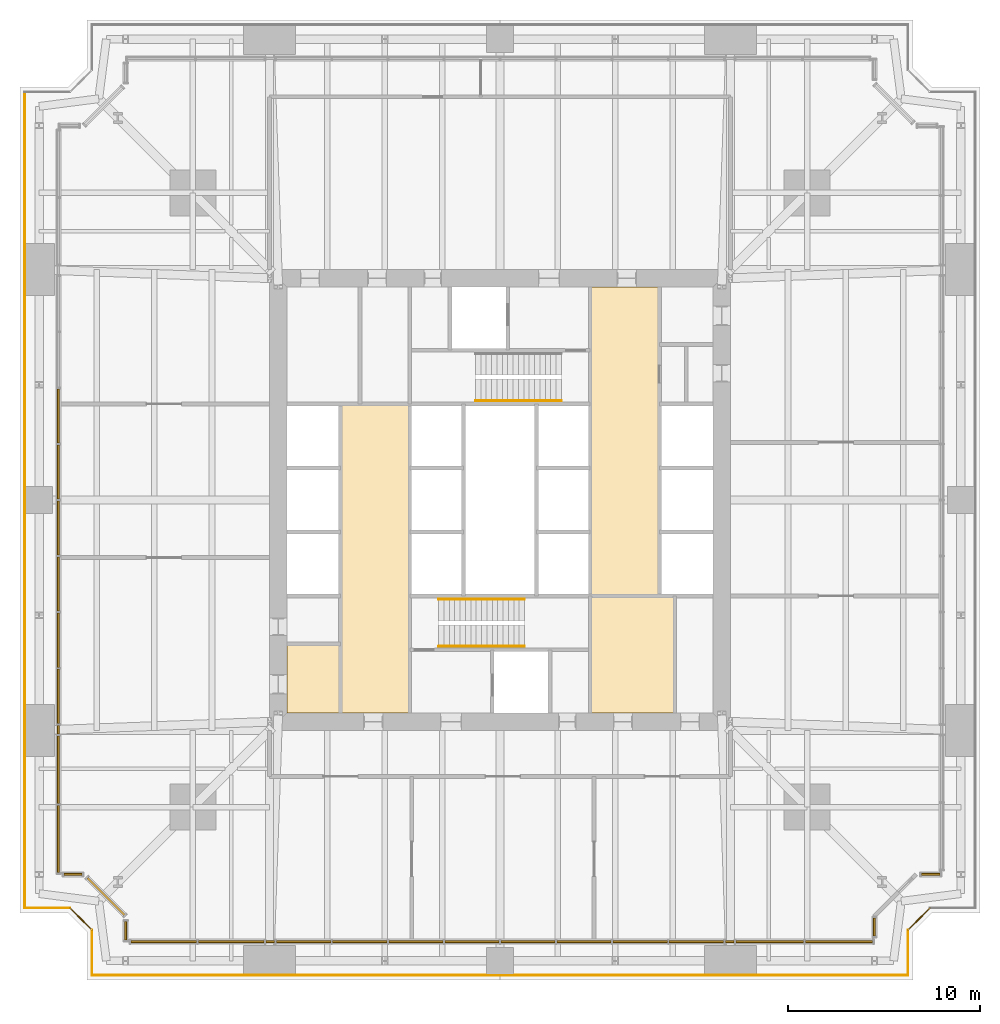
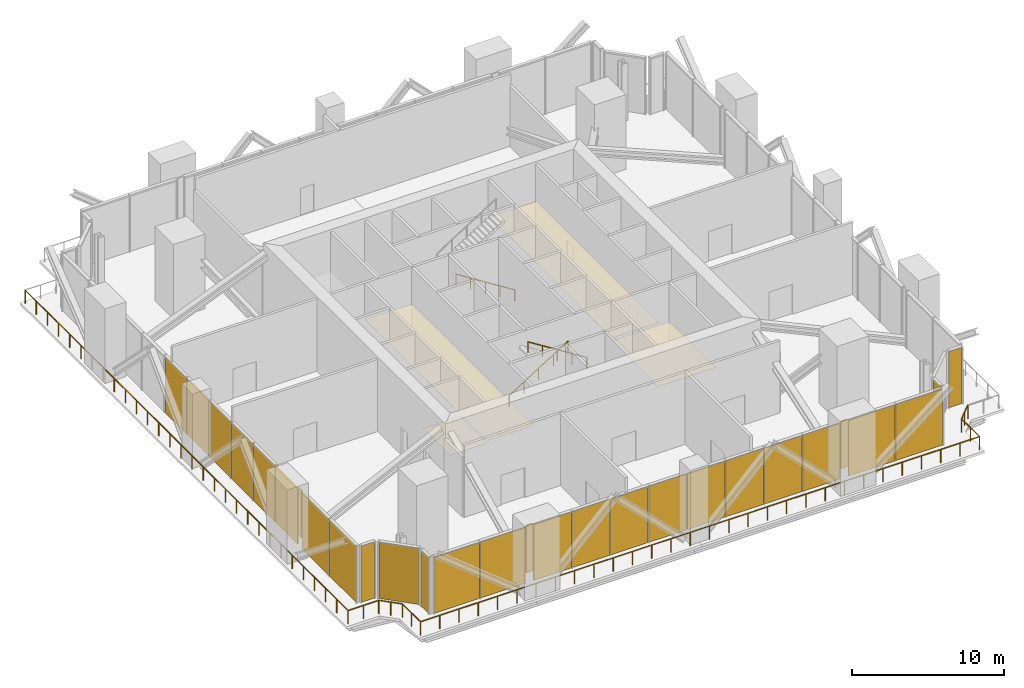
# One storey, part 11 of 13: 28 shading devices, 10 railings, 4 coverings, 10 elements without a shape of their own.
"""IFC4 building model written with IfcOpenShell, lengths in metres."""

from ifc_helpers import new_model, si_unit, direction, frame, origin, origin_2d, place, context, subcontext, project, spatial, polyline, rectangle, circle, outline, extrude, material, layer, layer_set, type_object, element, aggregate, save


model = new_model("IFC4")

# Units and contexts
model_context = context("Model", 3, precision=1e-05, world=origin(), true_north=direction((0.0, 1.0)))
body_context = subcontext(model_context, "Body", "Model", "MODEL_VIEW")
ifc_project = project(units=[si_unit("LENGTHUNIT", "METRE"), si_unit("AREAUNIT", "SQUARE_METRE"), si_unit("VOLUMEUNIT", "CUBIC_METRE"), si_unit("PLANEANGLEUNIT", "RADIAN"), si_unit("MASSUNIT", "GRAM", prefix="KILO")], contexts=[model_context])

# Site, building, storey
site_placement = place(None, origin())
site = spatial("IfcSite", under=ifc_project, at=site_placement, CompositionType="ELEMENT")
building_placement = place(site_placement, origin())
building = spatial("IfcBuilding", under=site, at=building_placement, Name="Fenwick Lantern Interchange", CompositionType="ELEMENT")
storey_placement = place(building_placement, frame((0.0, 0.0, 91.0)))
storey = spatial("IfcBuildingStorey", under=building, at=storey_placement, Name="L21", CompositionType="ELEMENT", Elevation=91.0)

# Railings
ifc_material_1 = material(Name="Stainless steel handrail", Category="steel")
railing_type_1 = type_object("IfcRailingType", Name="HANDRAIL 900", PredefinedType="HANDRAIL", material=ifc_material_1)
railing_1_placement = place(storey_placement, frame((21.800048828125, 19.825927734375, 0.176513671875)))
element("IfcRailing", 1, at=railing_1_placement, inside=storey, type_object=railing_type_1, Name="L21/STAIR/ST1/HR1", PredefinedType="HANDRAIL", context=body_context, shape_type="SweptSolid", body=[
    extrude(circle(Radius=0.02392578125, at=origin_2d()), frame((0.0, 0.0, 0.8759765625), z_axis=(0.845997938375, 0.0, 0.533186166611), x_axis=(0.0, 1.0, 0.0)), (0.0, 0.0, 1.0), 5.29541015625),
    extrude(circle(Radius=0.02099609375, at=origin_2d()), origin(), (0.0, 0.0, 1.0), 0.851806640625),
    extrude(circle(Radius=0.02099609375, at=origin_2d()), frame((1.1201171875, 0.0, 0.705810546875)), (0.0, 0.0, 1.0), 0.851806640625),
    extrude(circle(Radius=0.02099609375, at=origin_2d()), frame((2.239990234375, 0.0, 1.41162109375)), (0.0, 0.0, 1.0), 0.851806640625),
    extrude(circle(Radius=0.02099609375, at=origin_2d()), frame((3.35986328125, 0.0, 2.11767578125)), (0.0, 0.0, 1.0), 0.851806640625),
    extrude(circle(Radius=0.02099609375, at=origin_2d()), frame((4.47998046875, 0.0, 2.823486328125)), (0.0, 0.0, 1.0), 0.851806640625),
])
for number, where, name in (
    (2, (26.280029296875, 17.3740234375, 3.176513671875), "L21/STAIR/ST1/HR2"),
    (3, (28.199951171875, 30.174072265625, 0.176513671875), "L21/STAIR/ST2/HR1"),
):
    element("IfcRailing", number, at=place(storey_placement, frame(where)), inside=storey, type_object=railing_type_1, Name=name, PredefinedType="HANDRAIL", context=body_context, shape_type="SweptSolid", body=[
        extrude(circle(Radius=0.02392578125, at=origin_2d()), frame((0.0, 0.0, 0.8759765625), z_axis=(-0.845997938375, 0.0, 0.533186166611), x_axis=(0.0, -1.0, 0.0)), (0.0, 0.0, 1.0), 5.29541015625),
        extrude(circle(Radius=0.02099609375, at=origin_2d()), origin(), (0.0, 0.0, 1.0), 0.851806640625),
        extrude(circle(Radius=0.02099609375, at=origin_2d()), frame((-1.1201171875, 0.0, 0.705810546875)), (0.0, 0.0, 1.0), 0.851806640625),
        extrude(circle(Radius=0.02099609375, at=origin_2d()), frame((-2.239990234375, 0.0, 1.41162109375)), (0.0, 0.0, 1.0), 0.851806640625),
        extrude(circle(Radius=0.02099609375, at=origin_2d()), frame((-3.35986328125, 0.0, 2.11767578125)), (0.0, 0.0, 1.0), 0.851806640625),
        extrude(circle(Radius=0.02099609375, at=origin_2d()), frame((-4.47998046875, 0.0, 2.823486328125)), (0.0, 0.0, 1.0), 0.851806640625),
    ])
ifc_material_2 = material(Name="Galvanised steel guard", Category="steel")
railing_type_2 = type_object("IfcRailingType", Name="MAINTENANCE LEDGE GUARD 1100", PredefinedType="GUARDRAIL", material=ifc_material_2)
railing_2_placement = place(storey_placement, frame((3.75, 0.25, 0.0)))
element("IfcRailing", 4, at=railing_2_placement, inside=storey, type_object=railing_type_2, Name="L21/GR/LEDGE01", PredefinedType="GUARDRAIL", context=body_context, shape_type="SweptSolid", body=[
    extrude(circle(Radius=0.02392578125, at=origin_2d()), frame((0.0, 0.0, 1.076171875), z_axis=(1.0, 0.0, 0.0), x_axis=(0.0, 1.0, 0.0)), (0.0, 0.0, 1.0), 42.5),
    extrude(circle(Radius=0.02099609375, at=origin_2d()), origin(), (0.0, 0.0, 1.0), 1.052001953125),
    extrude(circle(Radius=0.02099609375, at=origin_2d()), frame((1.465576171875, 0.0, 0.0)), (0.0, 0.0, 1.0), 1.052001953125),
    extrude(circle(Radius=0.02099609375, at=origin_2d()), frame((2.93115234375, 0.0, 0.0)), (0.0, 0.0, 1.0), 1.052001953125),
    extrude(circle(Radius=0.02099609375, at=origin_2d()), frame((4.396484375, 0.0, 0.0)), (0.0, 0.0, 1.0), 1.052001953125),
    extrude(circle(Radius=0.02099609375, at=origin_2d()), frame((5.862060546875, 0.0, 0.0)), (0.0, 0.0, 1.0), 1.052001953125),
    extrude(circle(Radius=0.02099609375, at=origin_2d()), frame((7.32763671875, 0.0, 0.0)), (0.0, 0.0, 1.0), 1.052001953125),
    extrude(circle(Radius=0.02099609375, at=origin_2d()), frame((8.793212890625, 0.0, 0.0)), (0.0, 0.0, 1.0), 1.052001953125),
    extrude(circle(Radius=0.02099609375, at=origin_2d()), frame((10.258544921875, 0.0, 0.0)), (0.0, 0.0, 1.0), 1.052001953125),
    extrude(circle(Radius=0.02099609375, at=origin_2d()), frame((11.72412109375, 0.0, 0.0)), (0.0, 0.0, 1.0), 1.052001953125),
    extrude(circle(Radius=0.02099609375, at=origin_2d()), frame((13.189697265625, 0.0, 0.0)), (0.0, 0.0, 1.0), 1.052001953125),
    extrude(circle(Radius=0.02099609375, at=origin_2d()), frame((14.6552734375, 0.0, 0.0)), (0.0, 0.0, 1.0), 1.052001953125),
    extrude(circle(Radius=0.02099609375, at=origin_2d()), frame((16.12060546875, 0.0, 0.0)), (0.0, 0.0, 1.0), 1.052001953125),
    extrude(circle(Radius=0.02099609375, at=origin_2d()), frame((17.586181640625, 0.0, 0.0)), (0.0, 0.0, 1.0), 1.052001953125),
    extrude(circle(Radius=0.02099609375, at=origin_2d()), frame((19.0517578125, 0.0, 0.0)), (0.0, 0.0, 1.0), 1.052001953125),
    extrude(circle(Radius=0.02099609375, at=origin_2d()), frame((20.517333984375, 0.0, 0.0)), (0.0, 0.0, 1.0), 1.052001953125),
    extrude(circle(Radius=0.02099609375, at=origin_2d()), frame((21.982666015625, 0.0, 0.0)), (0.0, 0.0, 1.0), 1.052001953125),
    extrude(circle(Radius=0.02099609375, at=origin_2d()), frame((23.4482421875, 0.0, 0.0)), (0.0, 0.0, 1.0), 1.052001953125),
    extrude(circle(Radius=0.02099609375, at=origin_2d()), frame((24.913818359375, 0.0, 0.0)), (0.0, 0.0, 1.0), 1.052001953125),
    extrude(circle(Radius=0.02099609375, at=origin_2d()), frame((26.37939453125, 0.0, 0.0)), (0.0, 0.0, 1.0), 1.052001953125),
    extrude(circle(Radius=0.02099609375, at=origin_2d()), frame((27.8447265625, 0.0, 0.0)), (0.0, 0.0, 1.0), 1.052001953125),
    extrude(circle(Radius=0.02099609375, at=origin_2d()), frame((29.310302734375, 0.0, 0.0)), (0.0, 0.0, 1.0), 1.052001953125),
    extrude(circle(Radius=0.02099609375, at=origin_2d()), frame((30.77587890625, 0.0, 0.0)), (0.0, 0.0, 1.0), 1.052001953125),
    extrude(circle(Radius=0.02099609375, at=origin_2d()), frame((32.241455078125, 0.0, 0.0)), (0.0, 0.0, 1.0), 1.052001953125),
    extrude(circle(Radius=0.02099609375, at=origin_2d()), frame((33.706787109375, 0.0, 0.0)), (0.0, 0.0, 1.0), 1.052001953125),
    extrude(circle(Radius=0.02099609375, at=origin_2d()), frame((35.17236328125, 0.0, 0.0)), (0.0, 0.0, 1.0), 1.052001953125),
    extrude(circle(Radius=0.02099609375, at=origin_2d()), frame((36.637939453125, 0.0, 0.0)), (0.0, 0.0, 1.0), 1.052001953125),
    extrude(circle(Radius=0.02099609375, at=origin_2d()), frame((38.103515625, 0.0, 0.0)), (0.0, 0.0, 1.0), 1.052001953125),
    extrude(circle(Radius=0.02099609375, at=origin_2d()), frame((39.56884765625, 0.0, 0.0)), (0.0, 0.0, 1.0), 1.052001953125),
    extrude(circle(Radius=0.02099609375, at=origin_2d()), frame((41.034423828125, 0.0, 0.0)), (0.0, 0.0, 1.0), 1.052001953125),
    extrude(circle(Radius=0.02099609375, at=origin_2d()), frame((42.5, 0.0, 0.0)), (0.0, 0.0, 1.0), 1.052001953125),
])
railing_3_placement = place(storey_placement, frame((46.25, 0.25, 0.0)))
element("IfcRailing", 5, at=railing_3_placement, inside=storey, type_object=railing_type_2, Name="L21/GR/LEDGE02", PredefinedType="GUARDRAIL", context=body_context, shape_type="SweptSolid", body=[
    extrude(circle(Radius=0.02392578125, at=origin_2d()), frame((0.0, 0.0, 1.076171875), z_axis=(0.0, 1.0, 0.0), x_axis=(-1.0, 0.0, 0.0)), (0.0, 0.0, 1.0), 2.353515625),
    extrude(circle(Radius=0.02099609375, at=origin_2d()), origin(), (0.0, 0.0, 1.0), 1.052001953125),
    extrude(circle(Radius=0.02099609375, at=origin_2d()), frame((0.0, 1.1767578125, 0.0)), (0.0, 0.0, 1.0), 1.052001953125),
    extrude(circle(Radius=0.02099609375, at=origin_2d()), frame((0.0, 2.353515625, 0.0)), (0.0, 0.0, 1.0), 1.052001953125),
])
railing_4_placement = place(storey_placement, frame((46.25, 2.603515625, 0.0)))
element("IfcRailing", 6, at=railing_4_placement, inside=storey, type_object=railing_type_2, Name="L21/GR/LEDGE03", PredefinedType="GUARDRAIL", context=body_context, shape_type="SweptSolid", body=[
    extrude(circle(Radius=0.02392578125, at=origin_2d()), frame((0.0, 0.0, 1.076171875), z_axis=(0.707106781187, 0.707106781187, 0.0), x_axis=(-0.707106781187, 0.707106781187, 0.0)), (0.0, 0.0, 1.0), 1.621337890625),
    extrude(circle(Radius=0.02099609375, at=origin_2d()), origin(), (0.0, 0.0, 1.0), 1.052001953125),
    extrude(circle(Radius=0.02099609375, at=origin_2d()), frame((0.5732421875, 0.5732421875, 0.0)), (0.0, 0.0, 1.0), 1.052001953125),
    extrude(circle(Radius=0.02099609375, at=origin_2d()), frame((1.146484375, 1.146484375, 0.0)), (0.0, 0.0, 1.0), 1.052001953125),
])
railing_5_placement = place(storey_placement, frame((0.25, 46.25, 0.0)))
element("IfcRailing", 7, at=railing_5_placement, inside=storey, type_object=railing_type_2, Name="L21/GR/LEDGE13", PredefinedType="GUARDRAIL", context=body_context, shape_type="SweptSolid", body=[
    extrude(circle(Radius=0.02392578125, at=origin_2d()), frame((0.0, 0.0, 1.076171875), z_axis=(0.0, -1.0, 0.0), x_axis=(1.0, 0.0, 0.0)), (0.0, 0.0, 1.0), 42.5),
    extrude(circle(Radius=0.02099609375, at=origin_2d()), origin(), (0.0, 0.0, 1.0), 1.052001953125),
    extrude(circle(Radius=0.02099609375, at=origin_2d()), frame((0.0, -1.465576171875, 0.0)), (0.0, 0.0, 1.0), 1.052001953125),
    extrude(circle(Radius=0.02099609375, at=origin_2d()), frame((0.0, -2.93115234375, 0.0)), (0.0, 0.0, 1.0), 1.052001953125),
    extrude(circle(Radius=0.02099609375, at=origin_2d()), frame((0.0, -4.396484375, 0.0)), (0.0, 0.0, 1.0), 1.052001953125),
    extrude(circle(Radius=0.02099609375, at=origin_2d()), frame((0.0, -5.862060546875, 0.0)), (0.0, 0.0, 1.0), 1.052001953125),
    extrude(circle(Radius=0.02099609375, at=origin_2d()), frame((0.0, -7.32763671875, 0.0)), (0.0, 0.0, 1.0), 1.052001953125),
    extrude(circle(Radius=0.02099609375, at=origin_2d()), frame((0.0, -8.793212890625, 0.0)), (0.0, 0.0, 1.0), 1.052001953125),
    extrude(circle(Radius=0.02099609375, at=origin_2d()), frame((0.0, -10.258544921875, 0.0)), (0.0, 0.0, 1.0), 1.052001953125),
    extrude(circle(Radius=0.02099609375, at=origin_2d()), frame((0.0, -11.72412109375, 0.0)), (0.0, 0.0, 1.0), 1.052001953125),
    extrude(circle(Radius=0.02099609375, at=origin_2d()), frame((0.0, -13.189697265625, 0.0)), (0.0, 0.0, 1.0), 1.052001953125),
    extrude(circle(Radius=0.02099609375, at=origin_2d()), frame((0.0, -14.6552734375, 0.0)), (0.0, 0.0, 1.0), 1.052001953125),
    extrude(circle(Radius=0.02099609375, at=origin_2d()), frame((0.0, -16.12060546875, 0.0)), (0.0, 0.0, 1.0), 1.052001953125),
    extrude(circle(Radius=0.02099609375, at=origin_2d()), frame((0.0, -17.586181640625, 0.0)), (0.0, 0.0, 1.0), 1.052001953125),
    extrude(circle(Radius=0.02099609375, at=origin_2d()), frame((0.0, -19.0517578125, 0.0)), (0.0, 0.0, 1.0), 1.052001953125),
    extrude(circle(Radius=0.02099609375, at=origin_2d()), frame((0.0, -20.517333984375, 0.0)), (0.0, 0.0, 1.0), 1.052001953125),
    extrude(circle(Radius=0.02099609375, at=origin_2d()), frame((0.0, -21.982666015625, 0.0)), (0.0, 0.0, 1.0), 1.052001953125),
    extrude(circle(Radius=0.02099609375, at=origin_2d()), frame((0.0, -23.4482421875, 0.0)), (0.0, 0.0, 1.0), 1.052001953125),
    extrude(circle(Radius=0.02099609375, at=origin_2d()), frame((0.0, -24.913818359375, 0.0)), (0.0, 0.0, 1.0), 1.052001953125),
    extrude(circle(Radius=0.02099609375, at=origin_2d()), frame((0.0, -26.37939453125, 0.0)), (0.0, 0.0, 1.0), 1.052001953125),
    extrude(circle(Radius=0.02099609375, at=origin_2d()), frame((0.0, -27.8447265625, 0.0)), (0.0, 0.0, 1.0), 1.052001953125),
    extrude(circle(Radius=0.02099609375, at=origin_2d()), frame((0.0, -29.310302734375, 0.0)), (0.0, 0.0, 1.0), 1.052001953125),
    extrude(circle(Radius=0.02099609375, at=origin_2d()), frame((0.0, -30.77587890625, 0.0)), (0.0, 0.0, 1.0), 1.052001953125),
    extrude(circle(Radius=0.02099609375, at=origin_2d()), frame((0.0, -32.241455078125, 0.0)), (0.0, 0.0, 1.0), 1.052001953125),
    extrude(circle(Radius=0.02099609375, at=origin_2d()), frame((0.0, -33.706787109375, 0.0)), (0.0, 0.0, 1.0), 1.052001953125),
    extrude(circle(Radius=0.02099609375, at=origin_2d()), frame((0.0, -35.17236328125, 0.0)), (0.0, 0.0, 1.0), 1.052001953125),
    extrude(circle(Radius=0.02099609375, at=origin_2d()), frame((0.0, -36.637939453125, 0.0)), (0.0, 0.0, 1.0), 1.052001953125),
    extrude(circle(Radius=0.02099609375, at=origin_2d()), frame((0.0, -38.103515625, 0.0)), (0.0, 0.0, 1.0), 1.052001953125),
    extrude(circle(Radius=0.02099609375, at=origin_2d()), frame((0.0, -39.56884765625, 0.0)), (0.0, 0.0, 1.0), 1.052001953125),
    extrude(circle(Radius=0.02099609375, at=origin_2d()), frame((0.0, -41.034423828125, 0.0)), (0.0, 0.0, 1.0), 1.052001953125),
    extrude(circle(Radius=0.02099609375, at=origin_2d()), frame((0.0, -42.5, 0.0)), (0.0, 0.0, 1.0), 1.052001953125),
])
railing_6_placement = place(storey_placement, frame((0.25, 3.75, 0.0)))
element("IfcRailing", 8, at=railing_6_placement, inside=storey, type_object=railing_type_2, Name="L21/GR/LEDGE14", PredefinedType="GUARDRAIL", context=body_context, shape_type="SweptSolid", body=[
    extrude(circle(Radius=0.02392578125, at=origin_2d()), frame((0.0, 0.0, 1.076171875), z_axis=(1.0, 0.0, 0.0), x_axis=(0.0, 1.0, 0.0)), (0.0, 0.0, 1.0), 2.353515625),
    extrude(circle(Radius=0.02099609375, at=origin_2d()), origin(), (0.0, 0.0, 1.0), 1.052001953125),
    extrude(circle(Radius=0.02099609375, at=origin_2d()), frame((1.1767578125, 0.0, 0.0)), (0.0, 0.0, 1.0), 1.052001953125),
    extrude(circle(Radius=0.02099609375, at=origin_2d()), frame((2.353515625, 0.0, 0.0)), (0.0, 0.0, 1.0), 1.052001953125),
])
railing_7_placement = place(storey_placement, frame((2.603515625, 3.75, 0.0)))
element("IfcRailing", 9, at=railing_7_placement, inside=storey, type_object=railing_type_2, Name="L21/GR/LEDGE15", PredefinedType="GUARDRAIL", context=body_context, shape_type="SweptSolid", body=[
    extrude(circle(Radius=0.02392578125, at=origin_2d()), frame((0.0, 0.0, 1.076171875), z_axis=(0.707106781187, -0.707106781187, 0.0), x_axis=(0.707106781187, 0.707106781187, 0.0)), (0.0, 0.0, 1.0), 1.621337890625),
    extrude(circle(Radius=0.02099609375, at=origin_2d()), origin(), (0.0, 0.0, 1.0), 1.052001953125),
    extrude(circle(Radius=0.02099609375, at=origin_2d()), frame((0.5732421875, -0.5732421875, 0.0)), (0.0, 0.0, 1.0), 1.052001953125),
    extrude(circle(Radius=0.02099609375, at=origin_2d()), frame((1.146484375, -1.146484375, 0.0)), (0.0, 0.0, 1.0), 1.052001953125),
])
railing_8_placement = place(storey_placement, frame((3.75, 2.603515625, 0.0)))
element("IfcRailing", 10, at=railing_8_placement, inside=storey, type_object=railing_type_2, Name="L21/GR/LEDGE16", PredefinedType="GUARDRAIL", context=body_context, shape_type="SweptSolid", body=[
    extrude(circle(Radius=0.02392578125, at=origin_2d()), frame((0.0, 0.0, 1.076171875), z_axis=(0.0, -1.0, 0.0), x_axis=(1.0, 0.0, 0.0)), (0.0, 0.0, 1.0), 2.353515625),
    extrude(circle(Radius=0.02099609375, at=origin_2d()), origin(), (0.0, 0.0, 1.0), 1.052001953125),
    extrude(circle(Radius=0.02099609375, at=origin_2d()), frame((0.0, -1.1767578125, 0.0)), (0.0, 0.0, 1.0), 1.052001953125),
    extrude(circle(Radius=0.02099609375, at=origin_2d()), frame((0.0, -2.353515625, 0.0)), (0.0, 0.0, 1.0), 1.052001953125),
])

# Coverings
ifc_material_3 = material(Name="Moisture resistant gypsum board on suspended frame, painted")
ifc_layer_1 = layer(ifc_material_3, 0.014892578125)
ifc_layer_set_1 = layer_set([ifc_layer_1], Name="MOISTURE RESISTANT CEILING 15")
covering_type_1 = type_object("IfcCoveringType", Name="MOISTURE RESISTANT CEILING 15", PredefinedType="CEILING", material=ifc_layer_set_1)
covering_1_placement = place(storey_placement, frame((0.0, 0.0, 2.60009765625)))
element("IfcCovering", 11, at=covering_1_placement, inside=storey, type_object=covering_type_1, Name="Women's WC ceiling", PredefinedType="CEILING", context=body_context, shape_type="SweptSolid", body=[
    extrude(outline(polyline([(29.699951171875, 13.89990234375), (34.10009765625, 13.89990234375), (34.10009765625, 20.0), (29.699951171875, 20.0), (29.699951171875, 13.89990234375)])), origin(), (0.0, 0.0, 1.0), 0.014892578125),
])
covering_2_placement = place(storey_placement, frame((0.0, 0.0, 2.60009765625)))
element("IfcCovering", 12, at=covering_2_placement, inside=storey, type_object=covering_type_1, Name="Accessible WC and shower ceiling", PredefinedType="CEILING", context=body_context, shape_type="SweptSolid", body=[
    extrude(outline(polyline([(13.89990234375, 13.89990234375), (16.699951171875, 13.89990234375), (16.699951171875, 17.5), (13.89990234375, 17.5), (13.89990234375, 13.89990234375)])), origin(), (0.0, 0.0, 1.0), 0.014892578125),
])

# Curtain wall, shading device
ifc_material_4 = material(Name="Aluminium curtain wall frame", Category="aluminium")
curtain_wall_type = type_object("IfcCurtainWallType", Name="PLANT LOUVRE SCREEN", PredefinedType="USERDEFINED", material=ifc_material_4)
curtain_wall_1_placement = place(storey_placement, origin())
curtain_wall_1 = element("IfcCurtainWall", 13, at=curtain_wall_1_placement, inside=storey, type_object=curtain_wall_type, Name="Plant louvre screen 01", ObjectType="PLANT LOUVRE SCREEN", PredefinedType="USERDEFINED")
ifc_material_5 = material(Name="Louvre panel, anodised aluminium blades", Category="aluminium")
ifc_layer_2 = layer(ifc_material_5, 0.10009765625)
ifc_layer_set_2 = layer_set([ifc_layer_2], Name="PLANT LOUVRE SCREEN PANEL 100")
shading_device_type = type_object("IfcShadingDeviceType", Name="PLANT LOUVRE SCREEN PANEL 100", PredefinedType="SHUTTER", material=ifc_layer_set_2)
shading_device_1_placement = place(storey_placement, frame((44.5, 2.76416015625, 0.0), z_axis=(0.0, 0.0, 1.0), x_axis=(0.0, 1.0, 0.0)))
shading_device_1 = element("IfcShadingDevice", 14, at=shading_device_1_placement, type_object=shading_device_type, Name="L21/CW/01/P00", PredefinedType="SHUTTER", context=body_context, shape_type="SweptSolid", body=[
    extrude(rectangle(XDim=0.978515625, YDim=0.10009765625, at=origin_2d()), origin(), (0.0, 0.0, 1.0), 4.47998046875),
])
aggregate(curtain_wall_1, [shading_device_1])

curtain_wall_2_placement = place(storey_placement, origin())
curtain_wall_2 = element("IfcCurtainWall", 15, at=curtain_wall_2_placement, inside=storey, type_object=curtain_wall_type, Name="Plant louvre screen 03", ObjectType="PLANT LOUVRE SCREEN", PredefinedType="USERDEFINED")
shading_device_2_placement = place(storey_placement, frame((47.435791015625, 5.5, 0.0), z_axis=(0.0, 0.0, 1.0), x_axis=(1.0, 0.0, 0.0)))
shading_device_2 = element("IfcShadingDevice", 16, at=shading_device_2_placement, type_object=shading_device_type, Name="L21/CW/03/P00", PredefinedType="SHUTTER", context=body_context, shape_type="SweptSolid", body=[
    extrude(rectangle(XDim=0.978515625, YDim=0.10009765625, at=origin_2d()), origin(), (0.0, 0.0, 1.0), 4.47998046875),
])
aggregate(curtain_wall_2, [shading_device_2])

# Curtain wall, shading devices
curtain_wall_3_placement = place(storey_placement, origin())
curtain_wall_3 = element("IfcCurtainWall", 17, at=curtain_wall_3_placement, inside=storey, type_object=curtain_wall_type, Name="Plant louvre screen 12B", ObjectType="PLANT LOUVRE SCREEN", PredefinedType="USERDEFINED")
shading_device_3_placement = place(storey_placement, frame((2.0, 29.381103515625, 0.0), z_axis=(0.0, 0.0, 1.0), x_axis=(0.0, -1.0, 0.0)))
shading_device_3 = element("IfcShadingDevice", 18, at=shading_device_3_placement, type_object=shading_device_type, Name="L21/CW/12B/P02", PredefinedType="SHUTTER", context=body_context, shape_type="SweptSolid", body=[
    extrude(rectangle(XDim=2.845703125, YDim=0.10009765625, at=origin_2d()), origin(), (0.0, 0.0, 1.0), 4.47998046875),
])
shading_device_4_placement = place(storey_placement, frame((2.0, 26.46044921875, 0.0), z_axis=(0.0, 0.0, 1.0), x_axis=(0.0, -1.0, 0.0)))
shading_device_4 = element("IfcShadingDevice", 19, at=shading_device_4_placement, type_object=shading_device_type, Name="L21/CW/12B/P03", PredefinedType="SHUTTER", context=body_context, shape_type="SweptSolid", body=[
    extrude(rectangle(XDim=2.845703125, YDim=0.10009765625, at=origin_2d()), origin(), (0.0, 0.0, 1.0), 4.47998046875),
])
shading_device_5_placement = place(storey_placement, frame((2.0, 23.53955078125, 0.0), z_axis=(0.0, 0.0, 1.0), x_axis=(0.0, -1.0, 0.0)))
shading_device_5 = element("IfcShadingDevice", 20, at=shading_device_5_placement, type_object=shading_device_type, Name="L21/CW/12B/P04", PredefinedType="SHUTTER", context=body_context, shape_type="SweptSolid", body=[
    extrude(rectangle(XDim=2.845703125, YDim=0.10009765625, at=origin_2d()), origin(), (0.0, 0.0, 1.0), 4.47998046875),
])
shading_device_6_placement = place(storey_placement, frame((2.0, 20.618896484375, 0.0), z_axis=(0.0, 0.0, 1.0), x_axis=(0.0, -1.0, 0.0)))
shading_device_6 = element("IfcShadingDevice", 21, at=shading_device_6_placement, type_object=shading_device_type, Name="L21/CW/12B/P05", PredefinedType="SHUTTER", context=body_context, shape_type="SweptSolid", body=[
    extrude(rectangle(XDim=2.845703125, YDim=0.10009765625, at=origin_2d()), origin(), (0.0, 0.0, 1.0), 4.47998046875),
])
shading_device_7_placement = place(storey_placement, frame((2.0, 17.6982421875, 0.0), z_axis=(0.0, 0.0, 1.0), x_axis=(0.0, -1.0, 0.0)))
shading_device_7 = element("IfcShadingDevice", 22, at=shading_device_7_placement, type_object=shading_device_type, Name="L21/CW/12B/P06", PredefinedType="SHUTTER", context=body_context, shape_type="SweptSolid", body=[
    extrude(rectangle(XDim=2.845703125, YDim=0.10009765625, at=origin_2d()), origin(), (0.0, 0.0, 1.0), 4.47998046875),
])
shading_device_8_placement = place(storey_placement, frame((2.0, 14.777587890625, 0.0), z_axis=(0.0, 0.0, 1.0), x_axis=(0.0, -1.0, 0.0)))
shading_device_8 = element("IfcShadingDevice", 23, at=shading_device_8_placement, type_object=shading_device_type, Name="L21/CW/12B/P07", PredefinedType="SHUTTER", context=body_context, shape_type="SweptSolid", body=[
    extrude(rectangle(XDim=2.845703125, YDim=0.10009765625, at=origin_2d()), origin(), (0.0, 0.0, 1.0), 4.47998046875),
])
aggregate(curtain_wall_3, [shading_device_3, shading_device_4, shading_device_5, shading_device_6, shading_device_7, shading_device_8])

curtain_wall_4_placement = place(storey_placement, origin())
curtain_wall_4 = element("IfcCurtainWall", 24, at=curtain_wall_4_placement, inside=storey, type_object=curtain_wall_type, Name="Plant louvre screen 12C", ObjectType="PLANT LOUVRE SCREEN", PredefinedType="USERDEFINED")
shading_device_9_placement = place(storey_placement, frame((2.0, 10.95263671875, 0.0), z_axis=(0.0, 0.0, 1.0), x_axis=(0.0, -1.0, 0.0)))
shading_device_9 = element("IfcShadingDevice", 25, at=shading_device_9_placement, type_object=shading_device_type, Name="L21/CW/12C/P00", PredefinedType="SHUTTER", context=body_context, shape_type="SweptSolid", body=[
    extrude(rectangle(XDim=3.53515625, YDim=0.10009765625, at=origin_2d()), origin(), (0.0, 0.0, 1.0), 4.47998046875),
])
shading_device_10_placement = place(storey_placement, frame((2.0, 7.342529296875, 0.0), z_axis=(0.0, 0.0, 1.0), x_axis=(0.0, -1.0, 0.0)))
shading_device_10 = element("IfcShadingDevice", 26, at=shading_device_10_placement, type_object=shading_device_type, Name="L21/CW/12C/P01", PredefinedType="SHUTTER", context=body_context, shape_type="SweptSolid", body=[
    extrude(rectangle(XDim=3.53515625, YDim=0.10009765625, at=origin_2d()), origin(), (0.0, 0.0, 1.0), 4.47998046875),
])
aggregate(curtain_wall_4, [shading_device_9, shading_device_10])

# Shading device
shading_device_11_placement = place(storey_placement, frame((2.0, 13.03759765625, 0.82421875), z_axis=(0.0, 0.0, 1.0), x_axis=(0.0, -1.0, 0.0)))
element("IfcShadingDevice", 27, at=shading_device_11_placement, inside=storey, type_object=shading_device_type, Name="Louvre screen infill 12-2", PredefinedType="SHUTTER", context=body_context, shape_type="SweptSolid", body=[
    extrude(rectangle(XDim=0.484375, YDim=0.10009765625, at=origin_2d()), origin(), (0.0, 0.0, 1.0), 3.775634765625),
])

# Curtain wall, shading device
curtain_wall_5_placement = place(storey_placement, origin())
curtain_wall_5 = element("IfcCurtainWall", 28, at=curtain_wall_5_placement, inside=storey, type_object=curtain_wall_type, Name="Plant louvre screen 13", ObjectType="PLANT LOUVRE SCREEN", PredefinedType="USERDEFINED")
shading_device_12_placement = place(storey_placement, frame((2.76416015625, 5.5, 0.0), z_axis=(0.0, 0.0, 1.0), x_axis=(1.0, 0.0, 0.0)))
shading_device_12 = element("IfcShadingDevice", 29, at=shading_device_12_placement, type_object=shading_device_type, Name="L21/CW/13/P00", PredefinedType="SHUTTER", context=body_context, shape_type="SweptSolid", body=[
    extrude(rectangle(XDim=0.978515625, YDim=0.10009765625, at=origin_2d()), origin(), (0.0, 0.0, 1.0), 4.47998046875),
])
aggregate(curtain_wall_5, [shading_device_12])

curtain_wall_6_placement = place(storey_placement, origin())
curtain_wall_6 = element("IfcCurtainWall", 30, at=curtain_wall_6_placement, inside=storey, type_object=curtain_wall_type, Name="Plant louvre screen 14", ObjectType="PLANT LOUVRE SCREEN", PredefinedType="USERDEFINED")
shading_device_13_placement = place(storey_placement, frame((4.48486328125, 4.343505859375, 0.0), z_axis=(0.0, 0.0, 1.0), x_axis=(0.707106781187, -0.707106781187, 0.0)))
shading_device_13 = element("IfcShadingDevice", 31, at=shading_device_13_placement, type_object=shading_device_type, Name="L21/CW/14/P00", PredefinedType="SHUTTER", context=body_context, shape_type="SweptSolid", body=[
    extrude(rectangle(XDim=2.720947265625, YDim=0.10009765625, at=origin_2d()), origin(), (0.0, 0.0, 1.0), 4.47998046875),
])
aggregate(curtain_wall_6, [shading_device_13])

curtain_wall_7_placement = place(storey_placement, origin())
curtain_wall_7 = element("IfcCurtainWall", 32, at=curtain_wall_7_placement, inside=storey, type_object=curtain_wall_type, Name="Plant louvre screen 15", ObjectType="PLANT LOUVRE SCREEN", PredefinedType="USERDEFINED")
shading_device_14_placement = place(storey_placement, frame((5.5, 2.564208984375, 0.0), z_axis=(0.0, 0.0, 1.0), x_axis=(0.0, -1.0, 0.0)))
shading_device_14 = element("IfcShadingDevice", 33, at=shading_device_14_placement, type_object=shading_device_type, Name="L21/CW/15/P00", PredefinedType="SHUTTER", context=body_context, shape_type="SweptSolid", body=[
    extrude(rectangle(XDim=0.978515625, YDim=0.10009765625, at=origin_2d()), origin(), (0.0, 0.0, 1.0), 4.47998046875),
])
aggregate(curtain_wall_7, [shading_device_14])

# Curtain wall, shading devices
curtain_wall_8_placement = place(storey_placement, origin())
curtain_wall_8 = element("IfcCurtainWall", 34, at=curtain_wall_8_placement, inside=storey, type_object=curtain_wall_type, Name="Plant louvre screen 16A", ObjectType="PLANT LOUVRE SCREEN", PredefinedType="USERDEFINED")
shading_device_15_placement = place(storey_placement, frame((7.491943359375, 2.0, 0.0), z_axis=(0.0, 0.0, 1.0), x_axis=(1.0, 0.0, 0.0)))
shading_device_15 = element("IfcShadingDevice", 35, at=shading_device_15_placement, type_object=shading_device_type, Name="L21/CW/16A/P00", PredefinedType="SHUTTER", context=body_context, shape_type="SweptSolid", body=[
    extrude(rectangle(XDim=3.43408203125, YDim=0.10009765625, at=origin_2d()), origin(), (0.0, 0.0, 1.0), 4.47998046875),
])
shading_device_16_placement = place(storey_placement, frame((11.0009765625, 2.0, 0.0), z_axis=(0.0, 0.0, 1.0), x_axis=(1.0, 0.0, 0.0)))
shading_device_16 = element("IfcShadingDevice", 36, at=shading_device_16_placement, type_object=shading_device_type, Name="L21/CW/16A/P01", PredefinedType="SHUTTER", context=body_context, shape_type="SweptSolid", body=[
    extrude(rectangle(XDim=3.43408203125, YDim=0.10009765625, at=origin_2d()), origin(), (0.0, 0.0, 1.0), 4.47998046875),
])
aggregate(curtain_wall_8, [shading_device_15, shading_device_16])

curtain_wall_9_placement = place(storey_placement, origin())
curtain_wall_9 = element("IfcCurtainWall", 37, at=curtain_wall_9_placement, inside=storey, type_object=curtain_wall_type, Name="Plant louvre screen 16B", ObjectType="PLANT LOUVRE SCREEN", PredefinedType="USERDEFINED")
shading_device_17_placement = place(storey_placement, frame((14.77490234375, 2.0, 0.0), z_axis=(0.0, 0.0, 1.0), x_axis=(1.0, 0.0, 0.0)))
shading_device_17 = element("IfcShadingDevice", 38, at=shading_device_17_placement, type_object=shading_device_type, Name="L21/CW/16B/P00", PredefinedType="SHUTTER", context=body_context, shape_type="SweptSolid", body=[
    extrude(rectangle(XDim=2.846435546875, YDim=0.10009765625, at=origin_2d()), origin(), (0.0, 0.0, 1.0), 4.47998046875),
])
shading_device_18_placement = place(storey_placement, frame((17.6962890625, 2.0, 0.0), z_axis=(0.0, 0.0, 1.0), x_axis=(1.0, 0.0, 0.0)))
shading_device_18 = element("IfcShadingDevice", 39, at=shading_device_18_placement, type_object=shading_device_type, Name="L21/CW/16B/P01", PredefinedType="SHUTTER", context=body_context, shape_type="SweptSolid", body=[
    extrude(rectangle(XDim=2.846435546875, YDim=0.10009765625, at=origin_2d()), origin(), (0.0, 0.0, 1.0), 4.47998046875),
])
shading_device_19_placement = place(storey_placement, frame((20.617919921875, 2.0, 0.0), z_axis=(0.0, 0.0, 1.0), x_axis=(1.0, 0.0, 0.0)))
shading_device_19 = element("IfcShadingDevice", 40, at=shading_device_19_placement, type_object=shading_device_type, Name="L21/CW/16B/P02", PredefinedType="SHUTTER", context=body_context, shape_type="SweptSolid", body=[
    extrude(rectangle(XDim=2.846435546875, YDim=0.10009765625, at=origin_2d()), origin(), (0.0, 0.0, 1.0), 4.47998046875),
])
shading_device_20_placement = place(storey_placement, frame((23.539306640625, 2.0, 0.0), z_axis=(0.0, 0.0, 1.0), x_axis=(1.0, 0.0, 0.0)))
shading_device_20 = element("IfcShadingDevice", 41, at=shading_device_20_placement, type_object=shading_device_type, Name="L21/CW/16B/P03", PredefinedType="SHUTTER", context=body_context, shape_type="SweptSolid", body=[
    extrude(rectangle(XDim=2.846435546875, YDim=0.10009765625, at=origin_2d()), origin(), (0.0, 0.0, 1.0), 4.47998046875),
])
shading_device_21_placement = place(storey_placement, frame((26.460693359375, 2.0, 0.0), z_axis=(0.0, 0.0, 1.0), x_axis=(1.0, 0.0, 0.0)))
shading_device_21 = element("IfcShadingDevice", 42, at=shading_device_21_placement, type_object=shading_device_type, Name="L21/CW/16B/P04", PredefinedType="SHUTTER", context=body_context, shape_type="SweptSolid", body=[
    extrude(rectangle(XDim=2.846435546875, YDim=0.10009765625, at=origin_2d()), origin(), (0.0, 0.0, 1.0), 4.47998046875),
])
shading_device_22_placement = place(storey_placement, frame((29.382080078125, 2.0, 0.0), z_axis=(0.0, 0.0, 1.0), x_axis=(1.0, 0.0, 0.0)))
shading_device_22 = element("IfcShadingDevice", 43, at=shading_device_22_placement, type_object=shading_device_type, Name="L21/CW/16B/P05", PredefinedType="SHUTTER", context=body_context, shape_type="SweptSolid", body=[
    extrude(rectangle(XDim=2.846435546875, YDim=0.10009765625, at=origin_2d()), origin(), (0.0, 0.0, 1.0), 4.47998046875),
])
shading_device_23_placement = place(storey_placement, frame((32.3037109375, 2.0, 0.0), z_axis=(0.0, 0.0, 1.0), x_axis=(1.0, 0.0, 0.0)))
shading_device_23 = element("IfcShadingDevice", 44, at=shading_device_23_placement, type_object=shading_device_type, Name="L21/CW/16B/P06", PredefinedType="SHUTTER", context=body_context, shape_type="SweptSolid", body=[
    extrude(rectangle(XDim=2.846435546875, YDim=0.10009765625, at=origin_2d()), origin(), (0.0, 0.0, 1.0), 4.47998046875),
])
shading_device_24_placement = place(storey_placement, frame((35.22509765625, 2.0, 0.0), z_axis=(0.0, 0.0, 1.0), x_axis=(1.0, 0.0, 0.0)))
shading_device_24 = element("IfcShadingDevice", 45, at=shading_device_24_placement, type_object=shading_device_type, Name="L21/CW/16B/P07", PredefinedType="SHUTTER", context=body_context, shape_type="SweptSolid", body=[
    extrude(rectangle(XDim=2.846435546875, YDim=0.10009765625, at=origin_2d()), origin(), (0.0, 0.0, 1.0), 4.47998046875),
])
aggregate(curtain_wall_9, [shading_device_17, shading_device_18, shading_device_19, shading_device_20, shading_device_21, shading_device_22, shading_device_23, shading_device_24])

curtain_wall_10_placement = place(storey_placement, origin())
curtain_wall_10 = element("IfcCurtainWall", 46, at=curtain_wall_10_placement, inside=storey, type_object=curtain_wall_type, Name="Plant louvre screen 16C", ObjectType="PLANT LOUVRE SCREEN", PredefinedType="USERDEFINED")
shading_device_25_placement = place(storey_placement, frame((39.049072265625, 2.0, 0.0), z_axis=(0.0, 0.0, 1.0), x_axis=(1.0, 0.0, 0.0)))
shading_device_25 = element("IfcShadingDevice", 47, at=shading_device_25_placement, type_object=shading_device_type, Name="L21/CW/16C/P00", PredefinedType="SHUTTER", context=body_context, shape_type="SweptSolid", body=[
    extrude(rectangle(XDim=3.533935546875, YDim=0.10009765625, at=origin_2d()), origin(), (0.0, 0.0, 1.0), 4.47998046875),
])
shading_device_26_placement = place(storey_placement, frame((42.657958984375, 2.0, 0.0), z_axis=(0.0, 0.0, 1.0), x_axis=(1.0, 0.0, 0.0)))
shading_device_26 = element("IfcShadingDevice", 48, at=shading_device_26_placement, type_object=shading_device_type, Name="L21/CW/16C/P01", PredefinedType="SHUTTER", context=body_context, shape_type="SweptSolid", body=[
    extrude(rectangle(XDim=3.533935546875, YDim=0.10009765625, at=origin_2d()), origin(), (0.0, 0.0, 1.0), 4.47998046875),
])
aggregate(curtain_wall_10, [shading_device_25, shading_device_26])

# Shading devices
for number, where, z_axis, x_axis, name in (
    (49, (13.034912109375, 2.0, 0.78564453125), (0.0, 0.0, 1.0), (1.0, 0.0, 0.0), "Louvre screen infill 16-1"),
    (50, (36.965087890625, 2.0, 0.78564453125), (0.0, 0.0, 1.0), (1.0, 0.0, 0.0), "Louvre screen infill 16-2"),
):
    element("IfcShadingDevice", number, at=place(storey_placement, frame(where, z_axis=z_axis, x_axis=x_axis)), inside=storey, type_object=shading_device_type, Name=name, PredefinedType="SHUTTER", context=body_context, shape_type="SweptSolid", body=[
        extrude(rectangle(XDim=0.483642578125, YDim=0.10009765625, at=origin_2d()), origin(), (0.0, 0.0, 1.0), 3.814453125),
    ])

# Coverings
ifc_material_6 = material(Name="Gypsum plasterboard on suspended frame, painted")
ifc_layer_3 = layer(ifc_material_6, 0.014892578125)
ifc_layer_set_3 = layer_set([ifc_layer_3], Name="PLASTERBOARD CEILING 15")
covering_type_2 = type_object("IfcCoveringType", Name="PLASTERBOARD CEILING 15", PredefinedType="CEILING", material=ifc_layer_set_3)
covering_3_placement = place(storey_placement, frame((0.0, 0.0, 2.800048828125)))
element("IfcCovering", 51, at=covering_3_placement, inside=storey, type_object=covering_type_2, Name="Lift lobby ceiling", PredefinedType="CEILING", context=body_context, shape_type="SweptSolid", body=[
    extrude(outline(polyline([(16.699951171875, 13.89990234375), (20.300048828125, 13.89990234375), (20.300048828125, 30.0), (16.699951171875, 30.0), (16.699951171875, 13.89990234375)])), origin(), (0.0, 0.0, 1.0), 0.014892578125),
])
covering_4_placement = place(storey_placement, frame((0.0, 0.0, 2.800048828125)))
element("IfcCovering", 52, at=covering_4_placement, inside=storey, type_object=covering_type_2, Name="Lift lobby ceiling", PredefinedType="CEILING", context=body_context, shape_type="SweptSolid", body=[
    extrude(outline(polyline([(33.300048828125, 36.10009765625), (29.699951171875, 36.10009765625), (29.699951171875, 20.0), (33.300048828125, 20.0), (33.300048828125, 36.10009765625)])), origin(), (0.0, 0.0, 1.0), 0.014892578125),
])

save(model, "model.ifc")
